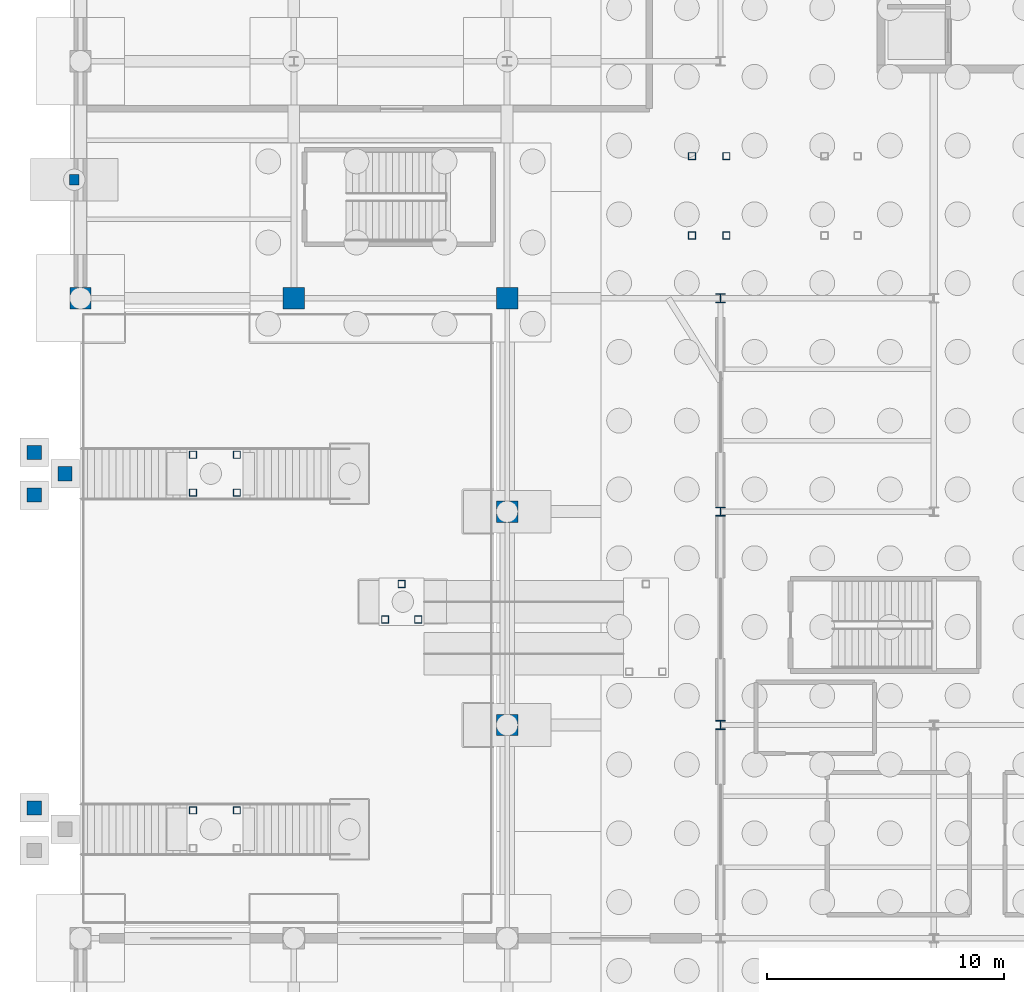
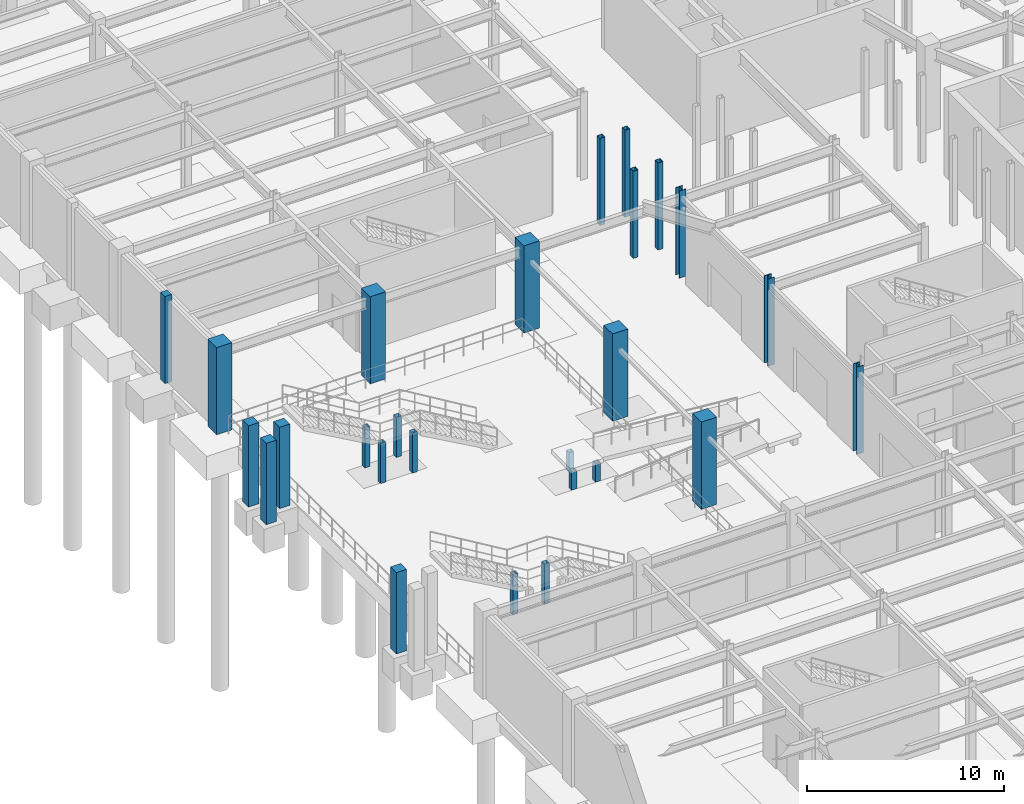
# One storey, part 12 of 56: 26 columns.
"""IFC4 building model written with IfcOpenShell, lengths in metres."""

from ifc_helpers import new_model, si_unit, direction, frame, origin, origin_2d, place, context, subcontext, project, spatial, rectangle, hollow_rectangle, i_section, extrude, material, material_profile, profile_set, type_object, element, save


model = new_model("IFC4")

# Units and contexts
model_context = context("Model", 3, precision=1e-05, world=origin(), true_north=direction((0.0, 1.0)))
body_context = subcontext(model_context, "Body", "Model", "MODEL_VIEW")
ifc_project = project(units=[si_unit("LENGTHUNIT", "METRE"), si_unit("AREAUNIT", "SQUARE_METRE"), si_unit("VOLUMEUNIT", "CUBIC_METRE"), si_unit("PLANEANGLEUNIT", "RADIAN"), si_unit("MASSUNIT", "GRAM", prefix="KILO")], contexts=[model_context])

# Site, building, storey
site_placement = place(None, origin())
site = spatial("IfcSite", under=ifc_project, at=site_placement, CompositionType="ELEMENT")
building_placement = place(site_placement, origin())
building = spatial("IfcBuilding", under=site, at=building_placement, Name="Glasvene Arena", CompositionType="ELEMENT")
storey_placement = place(building_placement, frame((0.0, 0.0, -5.39990234375)))
storey = spatial("IfcBuildingStorey", under=building, at=storey_placement, Name="B1", CompositionType="ELEMENT", Elevation=-5.39990234375)

# Columns
ifc_material_1 = material(Name="Concrete C40/50", Category="concrete")
ifc_material_profile_1 = material_profile(ifc_material_1, rectangle(XDim=0.89990234375, YDim=0.89990234375, at=origin_2d()), Name="RC 900x900")
ifc_profile_set_1 = profile_set([ifc_material_profile_1], Name="Concrete C40/50")
column_type_1 = type_object("IfcColumnType", Name="COL-BOWL-RC900", PredefinedType="COLUMN", material=ifc_profile_set_1)
for number, where, z_axis, x_axis, name in (
    (1, (0.0, 54.0, 0.0), (0.0, 0.0, 1.0), (1.0, 0.0, 0.0), "Grid column 1-7 B1"),
    (2, (9.0, 54.0, 0.0), (0.0, 0.0, 1.0), (1.0, 0.0, 0.0), "Grid column 2-7 B1"),
    (3, (18.0, 36.0, 0.0), (0.0, 0.0, 1.0), (1.0, 0.0, 0.0), "Grid column 3-5 B1"),
    (4, (18.0, 45.0, 0.0), (0.0, 0.0, 1.0), (1.0, 0.0, 0.0), "Grid column 3-6 B1"),
    (5, (18.0, 54.0, 0.0), (0.0, 0.0, 1.0), (1.0, 0.0, 0.0), "Grid column 3-7 B1"),
):
    element("IfcColumn", number, at=place(storey_placement, frame(where, z_axis=z_axis, x_axis=x_axis)), inside=storey, type_object=column_type_1, Name=name, PredefinedType="COLUMN", context=body_context, shape_type="SweptSolid", body=[
        extrude(rectangle(XDim=0.89990234375, YDim=0.89990234375, at=origin_2d()), origin(), (0.0, 0.0, 1.0), 5.39990234375),
    ])
ifc_material_profile_2 = material_profile(ifc_material_1, rectangle(XDim=0.60009765625, YDim=0.60009765625, at=origin_2d()), Name="RC 600x600")
ifc_profile_set_2 = profile_set([ifc_material_profile_2], Name="Concrete C40/50")
column_type_2 = type_object("IfcColumnType", Name="COL-IN-RC600", PredefinedType="COLUMN", material=ifc_profile_set_2)
for number, where, z_axis, x_axis, name in (
    (6, (-1.949951171875, 32.5, 0.0), (0.0, 0.0, 1.0), (1.0, 0.0, 0.0), "Metro threshold support pier 1"),
    (7, (-1.949951171875, 45.699951171875, 0.0), (0.0, 0.0, 1.0), (1.0, 0.0, 0.0), "Metro threshold support pier 2"),
    (8, (-1.949951171875, 47.5, 0.0), (0.0, 0.0, 1.0), (1.0, 0.0, 0.0), "Metro threshold support pier 2"),
    (9, (-0.64990234375, 46.60009765625, 0.0), (0.0, 0.0, 1.0), (1.0, 0.0, 0.0), "Metro threshold support pier 2"),
):
    element("IfcColumn", number, at=place(storey_placement, frame(where, z_axis=z_axis, x_axis=x_axis)), inside=storey, type_object=column_type_2, Name=name, PredefinedType="COLUMN", context=body_context, shape_type="SweptSolid", body=[
        extrude(rectangle(XDim=0.60009765625, YDim=0.60009765625, at=origin_2d()), origin(), (0.0, 0.0, 1.0), 5.039794921875),
    ])
ifc_material_2 = material(Name="Steel S355J2", Category="steel")
ifc_material_profile_3 = material_profile(ifc_material_2, hollow_rectangle(XDim=0.300048828125, YDim=0.300048828125, WallThickness=0.012451171875, at=origin_2d()), Name="SHS 300x300x12.5")
ifc_profile_set_3 = profile_set([ifc_material_profile_3], Name="Steel S355J2")
column_type_3 = type_object("IfcColumnType", Name="COL-W-SHS300", PredefinedType="COLUMN", material=ifc_profile_set_3)
for number, where, z_axis, x_axis, name in (
    (10, (25.800048828125, 56.64990234375, 0.0), (0.0, 0.0, 1.0), (1.0, 0.0, 0.0), "Vomitory arrival support column VOM-05 B1"),
    (11, (25.800048828125, 60.0, 0.0), (0.0, 0.0, 1.0), (1.0, 0.0, 0.0), "Vomitory arrival support column VOM-05 B1"),
    (12, (27.25, 56.64990234375, 0.0), (0.0, 0.0, 1.0), (1.0, 0.0, 0.0), "Vomitory arrival support column VOM-05 B1"),
    (13, (27.25, 60.0, 0.0), (0.0, 0.0, 1.0), (1.0, 0.0, 0.0), "Vomitory arrival support column VOM-05 B1"),
):
    element("IfcColumn", number, at=place(storey_placement, frame(where, z_axis=z_axis, x_axis=x_axis)), inside=storey, type_object=column_type_3, Name=name, PredefinedType="COLUMN", context=body_context, shape_type="SweptSolid", body=[
        extrude(hollow_rectangle(XDim=0.300048828125, YDim=0.300048828125, WallThickness=0.012451171875, at=origin_2d()), origin(), (0.0, 0.0, 1.0), 5.39990234375),
    ])
for number, where, z_axis, x_axis, name in (
    (14, (4.75, 32.39990234375, 0.0), (0.0, 0.0, 1.0), (1.0, 0.0, 0.0), "Metro stair landing pier 1"),
    (15, (6.60009765625, 32.39990234375, 0.0), (0.0, 0.0, 1.0), (1.0, 0.0, 0.0), "Metro stair landing pier 1"),
    (16, (4.75, 45.800048828125, 0.0), (0.0, 0.0, 1.0), (1.0, 0.0, 0.0), "Metro stair landing pier 2"),
    (17, (4.75, 47.39990234375, 0.0), (0.0, 0.0, 1.0), (1.0, 0.0, 0.0), "Metro stair landing pier 2"),
    (18, (6.60009765625, 45.800048828125, 0.0), (0.0, 0.0, 1.0), (1.0, 0.0, 0.0), "Metro stair landing pier 2"),
    (19, (6.60009765625, 47.39990234375, 0.0), (0.0, 0.0, 1.0), (1.0, 0.0, 0.0), "Metro stair landing pier 2"),
):
    element("IfcColumn", number, at=place(storey_placement, frame(where, z_axis=z_axis, x_axis=x_axis)), inside=storey, type_object=column_type_3, Name=name, PredefinedType="COLUMN", context=body_context, shape_type="SweptSolid", body=[
        extrude(hollow_rectangle(XDim=0.300048828125, YDim=0.300048828125, WallThickness=0.012451171875, at=origin_2d()), origin(), (0.0, 0.0, 1.0), 2.47998046875),
    ])
for number, where, z_axis, x_axis, name in (
    (20, (12.85009765625, 40.449951171875, 0.0), (0.0, 0.0, 1.0), (1.0, 0.0, 0.0), "Accessible ramp landing pier RP-P4-1"),
    (21, (14.25, 40.449951171875, 0.0), (0.0, 0.0, 1.0), (1.0, 0.0, 0.0), "Accessible ramp landing pier RP-P4-2"),
    (22, (13.550048828125, 41.949951171875, 0.0), (0.0, 0.0, 1.0), (1.0, 0.0, 0.0), "Accessible ramp landing pier RP-P4-3"),
):
    element("IfcColumn", number, at=place(storey_placement, frame(where, z_axis=z_axis, x_axis=x_axis)), inside=storey, type_object=column_type_3, Name=name, PredefinedType="COLUMN", context=body_context, shape_type="SweptSolid", body=[
        extrude(hollow_rectangle(XDim=0.300048828125, YDim=0.300048828125, WallThickness=0.012451171875, at=origin_2d()), origin(), (0.0, 0.0, 1.0), 1.14990234375),
    ])
ifc_material_profile_4 = material_profile(ifc_material_2, i_section(OverallWidth=0.394775390625, OverallDepth=0.381103515625, WebThickness=0.018310546875, FlangeThickness=0.0302734375, FilletRadius=0.01513671875, at=origin_2d()), Name="UKC 356x406x235")
ifc_profile_set_4 = profile_set([ifc_material_profile_4], Name="Steel S355J2")
column_type_4 = type_object("IfcColumnType", Name="COL-W-UKC235", PredefinedType="COLUMN", material=ifc_profile_set_4)
for number, where, z_axis, x_axis, name in (
    (23, (27.0, 36.0, 0.0), (0.0, 0.0, 1.0), (1.0, 0.0, 0.0), "Grid column 4-5 B1"),
    (24, (27.0, 45.0, 0.0), (0.0, 0.0, 1.0), (1.0, 0.0, 0.0), "Grid column 4-6 B1"),
    (25, (27.0, 54.0, 0.0), (0.0, 0.0, 1.0), (1.0, 0.0, 0.0), "Grid column 4-7 B1"),
):
    element("IfcColumn", number, at=place(storey_placement, frame(where, z_axis=z_axis, x_axis=x_axis)), inside=storey, type_object=column_type_4, Name=name, PredefinedType="COLUMN", context=body_context, shape_type="SweptSolid", body=[
        extrude(i_section(OverallWidth=0.394775390625, OverallDepth=0.381103515625, WebThickness=0.018310546875, FlangeThickness=0.0302734375, FilletRadius=0.01513671875, at=origin_2d()), origin(), (0.0, 0.0, 1.0), 5.39990234375),
    ])
ifc_material_3 = material(Name="Precast concrete C50/60", Category="concrete")
ifc_material_profile_5 = material_profile(ifc_material_3, rectangle(XDim=0.39990234375, YDim=0.449951171875, at=origin_2d()), Name="RC 400x450")
ifc_profile_set_5 = profile_set([ifc_material_profile_5], Name="Precast concrete C50/60")
column_type_5 = type_object("IfcColumnType", Name="PIL-LIM-400", PredefinedType="PILASTER", material=ifc_profile_set_5)
column_placement = place(storey_placement, frame((-0.260009765625, 59.0, 0.0), z_axis=(0.0, 0.0, 1.0), x_axis=(1.0, 0.0, 0.0)))
element("IfcColumn", 26, at=column_placement, inside=storey, type_object=column_type_5, Name="Limestone pilaster PL-07 B1", PredefinedType="PILASTER", context=body_context, shape_type="SweptSolid", body=[
    extrude(rectangle(XDim=0.39990234375, YDim=0.449951171875, at=origin_2d()), origin(), (0.0, 0.0, 1.0), 5.39990234375),
])

save(model, "model.ifc")
